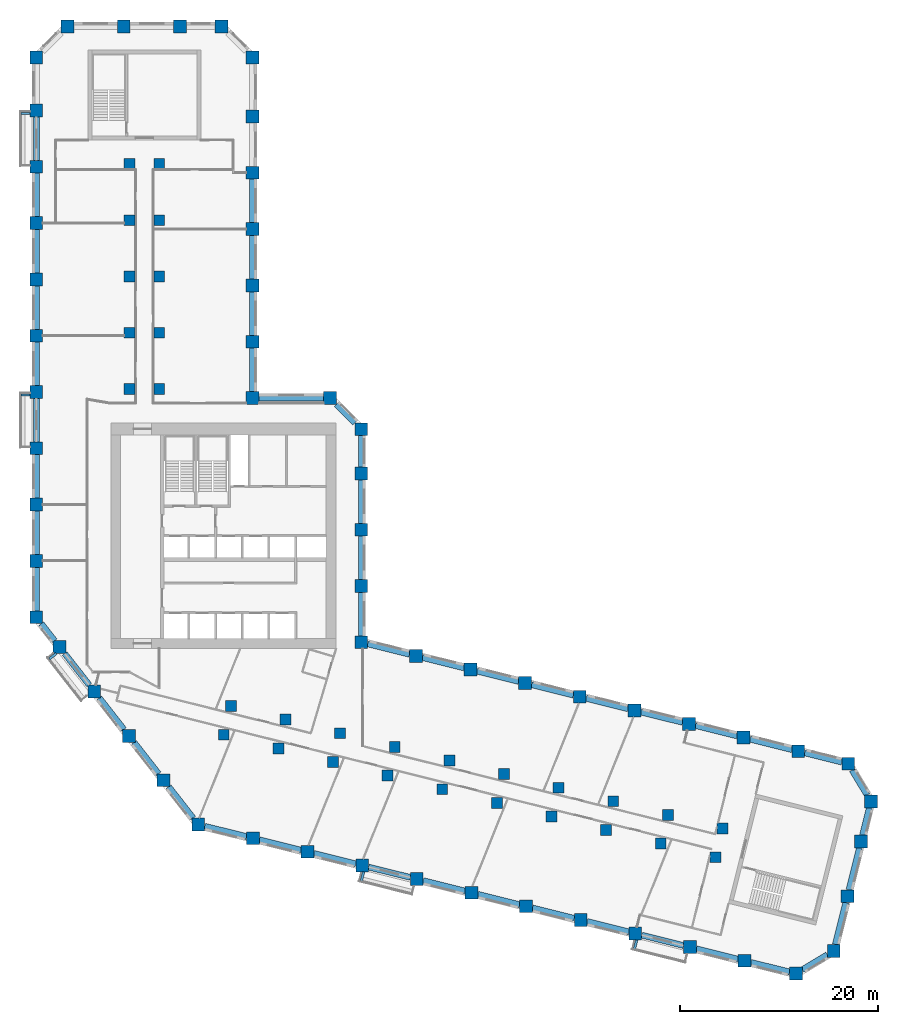
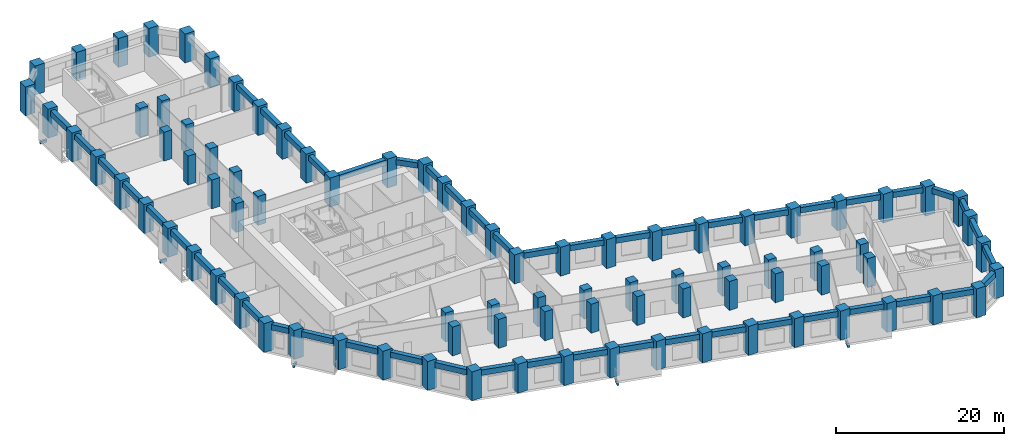
# One storey, part 1 of 10: 87 columns, 54 beams.
"""IFC4 building model written with IfcOpenShell, lengths in metres."""

import ifcopenshell
import ifcopenshell.guid

model = None  # the IFC model being written
_history = None  # IfcOwnerHistory: only IFC2X3 demands one
_inside = {}  # id of a spatial element -> (the spatial element, [elements in it])
_under = {}  # id of a project, library or spatial element -> (it, [spatial elements below it])
_declared = {}  # id of a project -> (the project, [libraries it declares])
_typed = {}  # id of a type object -> (the type object, [elements of that type])
_made_of = {}  # id of a material, layer set ... -> (it, [elements and type objects made of it])


def new_model(schema):
    """Start an empty IFC model of exactly this schema.

    Asked for "IFC4X3", IfcOpenShell would pick the latest addendum, in which some entities
    have other attributes; the version numbers below select the first issue.
    IFC2X3 requires an IfcOwnerHistory on every rooted entity: one is made here for all.
    """
    global model, _history
    if schema == "IFC4X3":
        model = ifcopenshell.file(schema_version=(4, 3, 0, 0))
    else:
        model = ifcopenshell.file(schema=schema)
    _inside.clear()
    _under.clear()
    _declared.clear()
    _typed.clear()
    _made_of.clear()
    _history = None
    if model.schema == "IFC2X3":
        org = make("IfcOrganization", Name="unknown")
        user = make(
            "IfcPersonAndOrganization",
            ThePerson=make("IfcPerson", FamilyName="unknown"),
            TheOrganization=org,
        )
        app = make(
            "IfcApplication",
            ApplicationDeveloper=org,
            Version="unknown",
            ApplicationFullName="unknown",
            ApplicationIdentifier="unknown",
        )
        _history = make(
            "IfcOwnerHistory",
            OwningUser=user,
            OwningApplication=app,
            ChangeAction="ADDED",
            CreationDate=0,
        )
    return model


def make(cls, **values):
    """One entity of the class cls with the attributes given. An attribute that is None is left unset."""
    return model.create_entity(
        cls, **{name: value for name, value in values.items() if value is not None}
    )


def rooted(cls, **values):
    """An entity with a GlobalId (a new one), such as an element, a storey or a relation."""
    return make(cls, GlobalId=ifcopenshell.guid.new(), OwnerHistory=_history, **values)


def si_unit(unit_type, name, prefix=None):
    """IfcSIUnit, for example si_unit("LENGTHUNIT", "METRE", prefix="MILLI")."""
    return make("IfcSIUnit", UnitType=unit_type, Prefix=prefix, Name=name)


def assignment(units):
    """IfcUnitAssignment: the units of a project."""
    return None if units is None else make("IfcUnitAssignment", Units=units)


def point(xyz):
    """IfcCartesianPoint."""
    return None if xyz is None else make("IfcCartesianPoint", Coordinates=xyz)


def direction(xyz):
    """IfcDirection."""
    return None if xyz is None else make("IfcDirection", DirectionRatios=xyz)


def frame(location, z_axis=None, x_axis=None):
    """IfcAxis2Placement3D, a coordinate frame: its origin and axes. An axis left out is left unset."""
    return make(
        "IfcAxis2Placement3D",
        Location=point(location),
        Axis=direction(z_axis),
        RefDirection=direction(x_axis),
    )


def frame_2d(location, x_axis=None):
    """IfcAxis2Placement2D, a coordinate frame in the plane: its origin and x axis."""
    return make(
        "IfcAxis2Placement2D", Location=point(location), RefDirection=direction(x_axis)
    )


def origin():
    """The frame at (0, 0, 0) with its axes left unset."""
    return frame((0.0, 0.0, 0.0))


def origin_2d():
    """The frame at (0, 0) in the plane with its x axis left unset."""
    return frame_2d((0.0, 0.0))


def place(relative_to, where):
    """IfcLocalPlacement: puts the frame where relative to a parent placement (None: the world)."""
    return make(
        "IfcLocalPlacement", PlacementRelTo=relative_to, RelativePlacement=where
    )


def context(
    kind, dimensions, precision=None, world=None, true_north=None, identifier=None
):
    """IfcGeometricRepresentationContext, for example the 3D "Model" context."""
    return make(
        "IfcGeometricRepresentationContext",
        ContextIdentifier=identifier,
        ContextType=kind,
        CoordinateSpaceDimension=dimensions,
        Precision=precision,
        WorldCoordinateSystem=world,
        TrueNorth=true_north,
    )


def subcontext(parent, identifier, kind, view, scale=None):
    """IfcGeometricRepresentationSubContext, for example "Body" below "Model"."""
    return make(
        "IfcGeometricRepresentationSubContext",
        ContextIdentifier=identifier,
        ContextType=kind,
        ParentContext=parent,
        TargetScale=scale,
        TargetView=view,
    )


def project(units=None, contexts=None):
    """IfcProject with its units and contexts."""
    return rooted(
        "IfcProject",
        Name="project",
        RepresentationContexts=contexts,
        UnitsInContext=assignment(units),
    )


def spatial(cls, under=None, at=None, **own):
    """A site, building, storey or space (cls), placed at a placement, below another one or the project."""
    s = rooted(cls, ObjectPlacement=at, **own)
    if under is not None:
        _under.setdefault(under.id(), (under, []))[1].append(s)
    return s


def profile(cls, at=None, kind="AREA", **sizes):
    """A parametric profile (cls). Its sizes go by their IFC names, for example OverallWidth=200.0."""
    return make(cls, ProfileType=kind, Position=at, **sizes)


def rectangle(**sizes):
    """IfcRectangleProfileDef."""
    return profile("IfcRectangleProfileDef", **sizes)


def extrude(swept, where, along, depth):
    """IfcExtrudedAreaSolid: the profile swept, set in the frame where, extruded along a direction by depth."""
    return make(
        "IfcExtrudedAreaSolid",
        SweptArea=swept,
        Position=where,
        ExtrudedDirection=direction(along),
        Depth=depth,
    )


def shape(context_of_items, identifier, shape_type, items):
    """IfcShapeRepresentation: the items that make up one representation, for example the "Body"."""
    return make(
        "IfcShapeRepresentation",
        ContextOfItems=context_of_items,
        RepresentationIdentifier=identifier,
        RepresentationType=shape_type,
        Items=items,
    )


def material(Name=None, Category=None):
    """IfcMaterial."""
    return make("IfcMaterial", Name=Name, Category=Category)


def material_profile(
    of_material, cross_section, Name=None, Category=None, Priority=None
):
    """IfcMaterialProfile: a cross section and its material."""
    return make(
        "IfcMaterialProfile",
        Name=Name,
        Material=of_material,
        Profile=cross_section,
        Priority=Priority,
        Category=Category,
    )


def profile_set(profiles, Name=None, composite=None):
    """IfcMaterialProfileSet."""
    return make(
        "IfcMaterialProfileSet",
        Name=Name,
        MaterialProfiles=profiles,
        CompositeProfile=composite,
    )


def made_of(thing, what):
    """Note that an element or type object is made of a material, layer set ...; save() writes the relation."""
    if what is not None:
        _made_of.setdefault(what.id(), (what, []))[1].append(thing)
    return thing


def type_object(cls, material=None, **own):
    """A type object (cls), such as IfcWallType, which elements share."""
    return made_of(rooted(cls, **own), material)


def element(
    cls,
    number,
    at=None,
    inside=None,
    cuts=None,
    type_object=None,
    material=None,
    context=None,
    identifier="Body",
    shape_type=None,
    held_by="IfcProductDefinitionShape",
    body=None,
    shapes=None,
    **own,
):
    """One element of the class cls, such as IfcWall. Its Tag is "e" and its number.

    at: its placement. inside: the storey or other place that contains it. cuts: it is an
    opening in that element (IfcRelVoidsElement). A single representation is given by context,
    identifier, shape_type and body (its items); several are given by shapes. held_by: the class
    of the entity that holds the representations. save() writes the other relations.
    """
    e = rooted(cls, Tag="e%d" % number, ObjectPlacement=at, **own)
    if body is not None:
        shapes = [shape(context, identifier, shape_type, body)]
    if shapes is not None:
        e.Representation = make(held_by, Representations=shapes)
    if inside is not None:
        _inside.setdefault(inside.id(), (inside, []))[1].append(e)
    if cuts is not None:
        rooted(
            "IfcRelVoidsElement", RelatingBuildingElement=cuts, RelatedOpeningElement=e
        )
    if type_object is not None:
        _typed.setdefault(type_object.id(), (type_object, []))[1].append(e)
    return made_of(e, material)


def aggregate(whole, parts):
    """IfcRelAggregates: a whole, such as a stair, and the parts it consists of."""
    return rooted("IfcRelAggregates", RelatingObject=whole, RelatedObjects=parts)


def save(model, path):
    """Write the relations noted so far, then the file.

    IfcRelAggregates (storeys below a building ...), IfcRelContainedInSpatialStructure (elements
    in a storey), IfcRelDefinesByType, IfcRelAssociatesMaterial and IfcRelDeclares: one each for
    every whole, place, type object, material and project.
    """
    for whole, parts in _under.values():
        aggregate(whole, parts)
    for where, things in _inside.values():
        rooted(
            "IfcRelContainedInSpatialStructure",
            RelatedElements=things,
            RelatingStructure=where,
        )
    for kind, things in _typed.values():
        rooted("IfcRelDefinesByType", RelatedObjects=things, RelatingType=kind)
    for what, things in _made_of.values():
        rooted("IfcRelAssociatesMaterial", RelatedObjects=things, RelatingMaterial=what)
    for by, libraries in _declared.values():
        rooted("IfcRelDeclares", RelatingContext=by, RelatedDefinitions=libraries)
    model.write(path)


model = new_model("IFC4")

# Units and contexts
model_context = context("Model", 3, precision=1e-05, world=origin(), true_north=direction((0.0, 1.0)))
body_context = subcontext(model_context, "Body", "Model", "MODEL_VIEW")
ifc_project = project(units=[si_unit("LENGTHUNIT", "METRE"), si_unit("AREAUNIT", "SQUARE_METRE"), si_unit("VOLUMEUNIT", "CUBIC_METRE"), si_unit("PLANEANGLEUNIT", "RADIAN"), si_unit("MASSUNIT", "GRAM", prefix="KILO")], contexts=[model_context])

# Site, building, storey
site_placement = place(None, origin())
site = spatial("IfcSite", under=ifc_project, at=site_placement, CompositionType="ELEMENT")
building_placement = place(site_placement, origin())
building = spatial("IfcBuilding", under=site, at=building_placement, Name="Meshkara Civic Tower", CompositionType="ELEMENT")
storey_placement = place(building_placement, frame((0.0, 0.0, 122.39990234375)))
storey = spatial("IfcBuildingStorey", under=building, at=storey_placement, Name="L27", CompositionType="ELEMENT", Elevation=122.39990234375)

# Columns
ifc_material_1 = material(Name="Concrete C70", Category="concrete")
ifc_material_profile_1 = material_profile(ifc_material_1, rectangle(XDim=1.10009765625, YDim=1.10009765625, at=origin_2d()))
ifc_profile_set_1 = profile_set([ifc_material_profile_1], Name="Concrete C70")
column_type_1 = type_object("IfcColumnType", Name="Interior column RC 1100x1100 C70", PredefinedType="COLUMN", material=ifc_profile_set_1)
for number, where, z_axis, x_axis, name in (
    (1, (9.89990234375, 40.35009765625, 0.0), (0.0, 0.0, 1.0), (1.0, 0.0, 0.0), "Column SA1-04 L27"),
    (2, (9.89990234375, 46.050048828125, 0.0), (0.0, 0.0, 1.0), (1.0, 0.0, 0.0), "Column SA1-05 L27"),
    (3, (9.89990234375, 51.75, 0.0), (0.0, 0.0, 1.0), (1.0, 0.0, 0.0), "Column SA1-06 L27"),
    (4, (9.89990234375, 57.449951171875, 0.0), (0.0, 0.0, 1.0), (1.0, 0.0, 0.0), "Column SA1-07 L27"),
    (5, (9.89990234375, 63.14990234375, 0.0), (0.0, 0.0, 1.0), (1.0, 0.0, 0.0), "Column SA1-08 L27"),
    (6, (12.89990234375, 40.35009765625, 0.0), (0.0, 0.0, 1.0), (1.0, 0.0, 0.0), "Column SA2-04 L27"),
    (7, (12.89990234375, 46.050048828125, 0.0), (0.0, 0.0, 1.0), (1.0, 0.0, 0.0), "Column SA2-05 L27"),
    (8, (12.89990234375, 51.75, 0.0), (0.0, 0.0, 1.0), (1.0, 0.0, 0.0), "Column SA2-06 L27"),
    (9, (12.89990234375, 57.449951171875, 0.0), (0.0, 0.0, 1.0), (1.0, 0.0, 0.0), "Column SA2-07 L27"),
    (10, (12.89990234375, 63.14990234375, 0.0), (0.0, 0.0, 1.0), (1.0, 0.0, 0.0), "Column SA2-08 L27"),
    (11, (19.424072265625, 5.360107421875, 0.0), (0.0, 0.0, 1.0), (1.0, 0.0, 0.0), "Column SB1-00 L27"),
    (12, (24.9541015625, 3.98095703125, 0.0), (0.0, 0.0, 1.0), (1.0, 0.0, 0.0), "Column SB1-01 L27"),
    (13, (30.485107421875, 2.60205078125, 0.0), (0.0, 0.0, 1.0), (1.0, 0.0, 0.0), "Column SB1-02 L27"),
    (14, (36.01611328125, 1.222900390625, 0.0), (0.0, 0.0, 1.0), (1.0, 0.0, 0.0), "Column SB1-03 L27"),
    (15, (41.5458984375, -0.156005859375, 0.0), (0.0, 0.0, 1.0), (1.0, 0.0, 0.0), "Column SB1-04 L27"),
    (16, (47.076904296875, -1.534912109375, 0.0), (0.0, 0.0, 1.0), (1.0, 0.0, 0.0), "Column SB1-05 L27"),
    (17, (52.60791015625, -2.9140625, 0.0), (0.0, 0.0, 1.0), (1.0, 0.0, 0.0), "Column SB1-06 L27"),
    (18, (58.138916015625, -4.2919921875, 0.0), (0.0, 0.0, 1.0), (1.0, 0.0, 0.0), "Column SB1-07 L27"),
    (19, (63.6689453125, -5.6708984375, 0.0), (0.0, 0.0, 1.0), (1.0, 0.0, 0.0), "Column SB1-08 L27"),
    (20, (69.199951171875, -7.050048828125, 0.0), (0.0, 0.0, 1.0), (1.0, 0.0, 0.0), "Column SB1-09 L27"),
    (21, (20.14892578125, 8.27099609375, 0.0), (0.0, 0.0, 1.0), (1.0, 0.0, 0.0), "Column SB2-00 L27"),
    (22, (25.679931640625, 6.89208984375, 0.0), (0.0, 0.0, 1.0), (1.0, 0.0, 0.0), "Column SB2-01 L27"),
    (23, (31.2109375, 5.512939453125, 0.0), (0.0, 0.0, 1.0), (1.0, 0.0, 0.0), "Column SB2-02 L27"),
    (24, (36.741943359375, 4.134033203125, 0.0), (0.0, 0.0, 1.0), (1.0, 0.0, 0.0), "Column SB2-03 L27"),
    (25, (42.27197265625, 2.7548828125, 0.0), (0.0, 0.0, 1.0), (1.0, 0.0, 0.0), "Column SB2-04 L27"),
    (26, (47.802978515625, 1.3759765625, 0.0), (0.0, 0.0, 1.0), (1.0, 0.0, 0.0), "Column SB2-05 L27"),
    (27, (53.333984375, -0.0029296875, 0.0), (0.0, 0.0, 1.0), (1.0, 0.0, 0.0), "Column SB2-06 L27"),
    (28, (58.864013671875, -1.382080078125, 0.0), (0.0, 0.0, 1.0), (1.0, 0.0, 0.0), "Column SB2-07 L27"),
    (29, (64.39501953125, -2.760986328125, 0.0), (0.0, 0.0, 1.0), (1.0, 0.0, 0.0), "Column SB2-08 L27"),
    (30, (69.926025390625, -4.139892578125, 0.0), (0.0, 0.0, 1.0), (1.0, 0.0, 0.0), "Column SB2-09 L27"),
):
    element("IfcColumn", number, at=place(storey_placement, frame(where, z_axis=z_axis, x_axis=x_axis)), inside=storey, type_object=column_type_1, Name=name, PredefinedType="COLUMN", context=body_context, shape_type="SweptSolid", body=[
        extrude(rectangle(XDim=1.10009765625, YDim=1.10009765625, at=origin_2d()), origin(), (0.0, 0.0, 1.0), 4.2001953125),
    ])
ifc_material_2 = material(Name="Concrete C70", Category="concrete")
ifc_material_profile_2 = material_profile(ifc_material_2, rectangle(XDim=1.300048828125, YDim=1.300048828125, at=origin_2d()))
ifc_profile_set_2 = profile_set([ifc_material_profile_2], Name="Concrete C70")
column_type_2 = type_object("IfcColumnType", Name="Perimeter column RC 1300x1300 C70", PredefinedType="COLUMN", material=ifc_profile_set_2)
for number, where, z_axis, x_axis, name in (
    (31, (33.35009765625, 14.718994140625, 0.0), (0.0, 0.0, 1.0), (1.0, 0.0, 0.0), "Column HE00 L27"),
    (32, (33.35009765625, 20.4189453125, 0.0), (0.0, 0.0, 1.0), (1.0, 0.0, 0.0), "Column HE01 L27"),
    (33, (33.35009765625, 26.118896484375, 0.0), (0.0, 0.0, 1.0), (1.0, 0.0, 0.0), "Column HE02 L27"),
    (34, (33.35009765625, 31.819091796875, 0.0), (0.0, 0.0, 1.0), (1.0, 0.0, 0.0), "Column HE03 L27"),
    (35, (33.35009765625, 36.2939453125, 0.0), (0.0, 0.0, 1.0), (1.0, 0.0, 0.0), "Column HEE L27"),
    (36, (30.194091796875, 39.449951171875, 0.0), (0.0, 0.0, 1.0), (1.0, 0.0, 0.0), "Column HCeE L27"),
    (37, (22.35009765625, 39.449951171875, 0.0), (0.0, 0.0, 1.0), (1.0, 0.0, 0.0), "Column HN00 L27"),
    (38, (22.35009765625, 45.14990234375, 0.0), (0.0, 0.0, 1.0), (1.0, 0.0, 0.0), "Column AE01 L27"),
    (39, (22.35009765625, 50.85009765625, 0.0), (0.0, 0.0, 1.0), (1.0, 0.0, 0.0), "Column AE02 L27"),
    (40, (22.35009765625, 56.550048828125, 0.0), (0.0, 0.0, 1.0), (1.0, 0.0, 0.0), "Column AE03 L27"),
    (41, (22.35009765625, 62.25, 0.0), (0.0, 0.0, 1.0), (1.0, 0.0, 0.0), "Column AE04 L27"),
    (42, (22.35009765625, 67.949951171875, 0.0), (0.0, 0.0, 1.0), (1.0, 0.0, 0.0), "Column AE05 L27"),
    (43, (22.35009765625, 73.9140625, 0.0), (0.0, 0.0, 1.0), (1.0, 0.0, 0.0), "Column AEEP1 L27"),
    (44, (19.194091796875, 77.070068359375, 0.0), (0.0, 0.0, 1.0), (1.0, 0.0, 0.0), "Column ATiEP1 L27"),
    (45, (3.60595703125, 77.070068359375, 0.0), (0.0, 0.0, 1.0), (1.0, 0.0, 0.0), "Column AT00-P1 L27"),
    (46, (9.305908203125, 77.070068359375, 0.0), (0.0, 0.0, 1.0), (1.0, 0.0, 0.0), "Column AT01-P1 L27"),
    (47, (15.006103515625, 77.070068359375, 0.0), (0.0, 0.0, 1.0), (1.0, 0.0, 0.0), "Column AT02-P1 L27"),
    (48, (0.449951171875, 73.9140625, 0.0), (0.0, 0.0, 1.0), (1.0, 0.0, 0.0), "Column ATo00-P1 L27"),
    (49, (0.449951171875, 17.2548828125, 0.0), (0.0, 0.0, 1.0), (1.0, 0.0, 0.0), "Column AW00 L27"),
    (50, (0.449951171875, 22.955078125, 0.0), (0.0, 0.0, 1.0), (1.0, 0.0, 0.0), "Column AW01 L27"),
    (51, (0.449951171875, 28.655029296875, 0.0), (0.0, 0.0, 1.0), (1.0, 0.0, 0.0), "Column AW02 L27"),
    (52, (0.449951171875, 34.35498046875, 0.0), (0.0, 0.0, 1.0), (1.0, 0.0, 0.0), "Column AW03 L27"),
    (53, (0.449951171875, 40.054931640625, 0.0), (0.0, 0.0, 1.0), (1.0, 0.0, 0.0), "Column AW04 L27"),
    (54, (0.449951171875, 45.7548828125, 0.0), (0.0, 0.0, 1.0), (1.0, 0.0, 0.0), "Column AW05 L27"),
    (55, (0.449951171875, 51.455078125, 0.0), (0.0, 0.0, 1.0), (1.0, 0.0, 0.0), "Column AW06 L27"),
    (56, (0.449951171875, 57.155029296875, 0.0), (0.0, 0.0, 1.0), (1.0, 0.0, 0.0), "Column AW07 L27"),
    (57, (0.449951171875, 62.85498046875, 0.0), (0.0, 0.0, 1.0), (1.0, 0.0, 0.0), "Column AW08 L27"),
    (58, (0.449951171875, 68.554931640625, 0.0), (0.0, 0.0, 1.0), (1.0, 0.0, 0.0), "Column AW09 L27"),
    (59, (16.85107421875, -3.738037109375, 0.0), (0.0, 0.0, 1.0), (1.0, 0.0, 0.0), "Column BOW00 L27"),
    (60, (13.342041015625, 0.75390625, 0.0), (0.0, 0.0, 1.0), (1.0, 0.0, 0.0), "Column BOW01 L27"),
    (61, (9.8330078125, 5.2451171875, 0.0), (0.0, 0.0, 1.0), (1.0, 0.0, 0.0), "Column BOW02 L27"),
    (62, (6.322998046875, 9.737060546875, 0.0), (0.0, 0.0, 1.0), (1.0, 0.0, 0.0), "Column BOW03 L27"),
    (63, (2.81396484375, 14.22900390625, 0.0), (0.0, 0.0, 1.0), (1.0, 0.0, 0.0), "Column BOW04 L27"),
    (64, (22.382080078125, -5.116943359375, 0.0), (0.0, 0.0, 1.0), (1.0, 0.0, 0.0), "Column BS01 L27"),
    (65, (27.912109375, -6.49609375, 0.0), (0.0, 0.0, 1.0), (1.0, 0.0, 0.0), "Column BS02 L27"),
    (66, (33.443115234375, -7.875, 0.0), (0.0, 0.0, 1.0), (1.0, 0.0, 0.0), "Column BS03 L27"),
    (67, (38.97412109375, -9.2529296875, 0.0), (0.0, 0.0, 1.0), (1.0, 0.0, 0.0), "Column BS04-P1 L27"),
    (68, (44.5048828125, -10.632080078125, 0.0), (0.0, 0.0, 1.0), (1.0, 0.0, 0.0), "Column BS05 L27"),
    (69, (50.034912109375, -12.010986328125, 0.0), (0.0, 0.0, 1.0), (1.0, 0.0, 0.0), "Column BS06 L27"),
    (70, (55.56591796875, -13.389892578125, 0.0), (0.0, 0.0, 1.0), (1.0, 0.0, 0.0), "Column BS07 L27"),
    (71, (61.096923828125, -14.76904296875, 0.0), (0.0, 0.0, 1.0), (1.0, 0.0, 0.0), "Column BS08 L27"),
    (72, (66.626953125, -16.14794921875, 0.0), (0.0, 0.0, 1.0), (1.0, 0.0, 0.0), "Column BS09 L27"),
    (73, (72.157958984375, -17.527099609375, 0.0), (0.0, 0.0, 1.0), (1.0, 0.0, 0.0), "Column BS10 L27"),
    (74, (77.35791015625, -18.822998046875, 0.0), (0.0, 0.0, 1.0), (1.0, 0.0, 0.0), "Column BSEP1 L27"),
    (75, (81.18310546875, -16.52392578125, 0.0), (0.0, 0.0, 1.0), (1.0, 0.0, 0.0), "Column BToEP1 L27"),
    (76, (82.56201171875, -10.992919921875, 0.0), (0.0, 0.0, 1.0), (1.0, 0.0, 0.0), "Column BT01-P1 L27"),
    (77, (83.94091796875, -5.462890625, 0.0), (0.0, 0.0, 1.0), (1.0, 0.0, 0.0), "Column BT02-P1 L27"),
    (78, (84.9541015625, -1.39990234375, 0.0), (0.0, 0.0, 1.0), (1.0, 0.0, 0.0), "Column BTEP1 L27"),
    (79, (82.655029296875, 2.425048828125, 0.0), (0.0, 0.0, 1.0), (1.0, 0.0, 0.0), "Column BTi00-P1 L27"),
    (80, (38.881103515625, 13.340087890625, 0.0), (0.0, 0.0, 1.0), (1.0, 0.0, 0.0), "Column BN01 L27"),
    (81, (44.410888671875, 11.9609375, 0.0), (0.0, 0.0, 1.0), (1.0, 0.0, 0.0), "Column BN02 L27"),
    (82, (49.94189453125, 10.58203125, 0.0), (0.0, 0.0, 1.0), (1.0, 0.0, 0.0), "Column BN03 L27"),
    (83, (55.472900390625, 9.202880859375, 0.0), (0.0, 0.0, 1.0), (1.0, 0.0, 0.0), "Column BN04 L27"),
    (84, (61.0029296875, 7.823974609375, 0.0), (0.0, 0.0, 1.0), (1.0, 0.0, 0.0), "Column BN05 L27"),
    (85, (66.533935546875, 6.445068359375, 0.0), (0.0, 0.0, 1.0), (1.0, 0.0, 0.0), "Column BN06 L27"),
    (86, (72.06494140625, 5.06591796875, 0.0), (0.0, 0.0, 1.0), (1.0, 0.0, 0.0), "Column BN07 L27"),
    (87, (77.594970703125, 3.68701171875, 0.0), (0.0, 0.0, 1.0), (1.0, 0.0, 0.0), "Column BN08 L27"),
):
    element("IfcColumn", number, at=place(storey_placement, frame(where, z_axis=z_axis, x_axis=x_axis)), inside=storey, type_object=column_type_2, Name=name, PredefinedType="COLUMN", context=body_context, shape_type="SweptSolid", body=[
        extrude(rectangle(XDim=1.300048828125, YDim=1.300048828125, at=origin_2d()), origin(), (0.0, 0.0, 1.0), 4.2001953125),
    ])

# Beams
ifc_material_3 = material(Name="Concrete C50", Category="concrete")
ifc_material_profile_3 = material_profile(ifc_material_3, rectangle(XDim=0.25, YDim=0.39990234375, at=origin_2d()))
ifc_profile_set_3 = profile_set([ifc_material_profile_3], Name="Concrete C50")
beam_type_1 = type_object("IfcBeamType", Name="Balcony bracket beam RC 250x400 C50", PredefinedType="BEAM", material=ifc_profile_set_3)
for number, where, z_axis, x_axis, name in (
    (88, (-0.195068359375, 68.2548828125, -0.5), (-1.0, 0.0, 0.0), (0.0, -1.0, 0.0), "Balcony bracket beam"),
    (89, (-0.195068359375, 39.7548828125, -0.5), (-1.0, 0.0, 0.0), (0.0, -1.0, 0.0), "Balcony bracket beam"),
):
    element("IfcBeam", number, at=place(storey_placement, frame(where, z_axis=z_axis, x_axis=x_axis)), inside=storey, type_object=beam_type_1, Name=name, PredefinedType="BEAM", context=body_context, shape_type="SweptSolid", body=[
        extrude(rectangle(XDim=0.25, YDim=0.39990234375, at=origin_2d()), origin(), (0.0, 0.0, 1.0), 0.905029296875),
    ])
beam_1_placement = place(storey_placement, frame((2.472900390625, 13.58203125, -0.5), z_axis=(-0.787831553438, -0.615890772302, 0.0), x_axis=(0.615890772302, -0.787831553438, 0.0)))
element("IfcBeam", 90, at=beam_1_placement, inside=storey, type_object=beam_type_1, Name="Balcony bracket beam", PredefinedType="BEAM", context=body_context, shape_type="SweptSolid", body=[
    extrude(rectangle(XDim=0.25, YDim=0.39990234375, at=origin_2d()), origin(), (0.0, 0.0, 1.0), 0.88330078125),
])
beam_2_placement = place(storey_placement, frame((33.591064453125, -8.52001953125, -0.5), z_axis=(-0.24199671944, -0.970277067533, 0.0), x_axis=(0.970277067533, -0.24199671944, 0.0)))
element("IfcBeam", 91, at=beam_2_placement, inside=storey, type_object=beam_type_1, Name="Balcony bracket beam", PredefinedType="BEAM", context=body_context, shape_type="SweptSolid", body=[
    extrude(rectangle(XDim=0.25, YDim=0.39990234375, at=origin_2d()), origin(), (0.0, 0.0, 1.0), 0.95947265625),
])
beam_3_placement = place(storey_placement, frame((61.2451171875, -15.4140625, -0.5), z_axis=(-0.241757949961, -0.970336587804, 0.0), x_axis=(0.970336587804, -0.241757949961, 0.0)))
element("IfcBeam", 92, at=beam_3_placement, inside=storey, type_object=beam_type_1, Name="Balcony bracket beam", PredefinedType="BEAM", context=body_context, shape_type="SweptSolid", body=[
    extrude(rectangle(XDim=0.25, YDim=0.39990234375, at=origin_2d()), origin(), (0.0, 0.0, 1.0), 0.96044921875),
])
ifc_material_4 = material(Name="Concrete C70", Category="concrete")
ifc_material_profile_4 = material_profile(ifc_material_4, rectangle(XDim=0.60009765625, YDim=0.800048828125, at=origin_2d()))
ifc_profile_set_4 = profile_set([ifc_material_profile_4], Name="Concrete C70")
beam_type_2 = type_object("IfcBeamType", Name="Spandrel beam RC 600x800 C70", PredefinedType="BEAM", material=ifc_profile_set_4)
beam_4_placement = place(storey_placement, frame((76.949951171875, 3.847900390625, 3.5), z_axis=(-0.970293497888, 0.241930832999, 0.0), x_axis=(-0.241930832999, -0.970293497888, 0.0)))
element("IfcBeam", 93, at=beam_4_placement, inside=storey, type_object=beam_type_2, Name="Spandrel beam BN07-BN08", PredefinedType="BEAM", context=body_context, shape_type="SweptSolid", body=[
    extrude(rectangle(XDim=0.60009765625, YDim=0.800048828125, at=origin_2d()), origin(), (0.0, 0.0, 1.0), 4.36962890625),
])
for number, where, z_axis, x_axis, name in (
    (94, (71.419921875, 5.226806640625, 3.5), (-0.970293463154, 0.241930972304, 0.0), (-0.241930972304, -0.970293463154, 0.0), "Spandrel beam BN06-BN07"),
    (95, (65.888916015625, 6.605712890625, 3.5), (-0.970293463154, 0.241930972304, 0.0), (-0.241930972304, -0.970293463154, 0.0), "Spandrel beam BN05-BN06"),
):
    element("IfcBeam", number, at=place(storey_placement, frame(where, z_axis=z_axis, x_axis=x_axis)), inside=storey, type_object=beam_type_2, Name=name, PredefinedType="BEAM", context=body_context, shape_type="SweptSolid", body=[
        extrude(rectangle(XDim=0.60009765625, YDim=0.800048828125, at=origin_2d()), origin(), (0.0, 0.0, 1.0), 4.37060546875),
    ])
beam_5_placement = place(storey_placement, frame((60.35791015625, 7.98486328125, 3.5), z_axis=(-0.970293497888, 0.241930832999, 0.0), x_axis=(-0.241930832999, -0.970293497888, 0.0)))
element("IfcBeam", 96, at=beam_5_placement, inside=storey, type_object=beam_type_2, Name="Spandrel beam BN04-BN05", PredefinedType="BEAM", context=body_context, shape_type="SweptSolid", body=[
    extrude(rectangle(XDim=0.60009765625, YDim=0.800048828125, at=origin_2d()), origin(), (0.0, 0.0, 1.0), 4.36962890625),
])
for number, where, z_axis, x_axis, name in (
    (97, (54.827880859375, 9.36376953125, 3.5), (-0.970293463154, 0.241930972304, 0.0), (-0.241930972304, -0.970293463154, 0.0), "Spandrel beam BN03-BN04"),
    (98, (49.296875, 10.742919921875, 3.5), (-0.970293463154, 0.241930972304, 0.0), (-0.241930972304, -0.970293463154, 0.0), "Spandrel beam BN02-BN03"),
):
    element("IfcBeam", number, at=place(storey_placement, frame(where, z_axis=z_axis, x_axis=x_axis)), inside=storey, type_object=beam_type_2, Name=name, PredefinedType="BEAM", context=body_context, shape_type="SweptSolid", body=[
        extrude(rectangle(XDim=0.60009765625, YDim=0.800048828125, at=origin_2d()), origin(), (0.0, 0.0, 1.0), 4.37060546875),
    ])
beam_6_placement = place(storey_placement, frame((43.765869140625, 12.121826171875, 3.5), z_axis=(-0.970280380753, 0.241983434817, 0.0), x_axis=(-0.241983434817, -0.970280380753, 0.0)))
element("IfcBeam", 99, at=beam_6_placement, inside=storey, type_object=beam_type_2, Name="Spandrel beam BN01-BN02", PredefinedType="BEAM", context=body_context, shape_type="SweptSolid", body=[
    extrude(rectangle(XDim=0.60009765625, YDim=0.800048828125, at=origin_2d()), origin(), (0.0, 0.0, 1.0), 4.36962890625),
])
beam_7_placement = place(storey_placement, frame((38.23583984375, 13.500732421875, 3.5), z_axis=(-0.970293463154, 0.241930972304, 0.0), x_axis=(-0.241930972304, -0.970293463154, 0.0)))
element("IfcBeam", 100, at=beam_7_placement, inside=storey, type_object=beam_type_2, Name="Spandrel beam BN01-HE00", PredefinedType="BEAM", context=body_context, shape_type="SweptSolid", body=[
    extrude(rectangle(XDim=0.60009765625, YDim=0.800048828125, at=origin_2d()), origin(), (0.0, 0.0, 1.0), 4.37060546875),
])
beam_8_placement = place(storey_placement, frame((33.35009765625, 15.364013671875, 3.5), z_axis=(0.0, 1.0, 0.0), x_axis=(-1.0, 0.0, 0.0)))
element("IfcBeam", 101, at=beam_8_placement, inside=storey, type_object=beam_type_2, Name="Spandrel beam HE00-HE01", PredefinedType="BEAM", context=body_context, shape_type="SweptSolid", body=[
    extrude(rectangle(XDim=0.60009765625, YDim=0.800048828125, at=origin_2d()), origin(), (0.0, 0.0, 1.0), 4.409912109375),
])
for number, where, z_axis, x_axis, name in (
    (102, (33.35009765625, 21.06396484375, 3.5), (0.0, 1.0, 0.0), (-1.0, 0.0, 0.0), "Spandrel beam HE01-HE02"),
    (103, (33.35009765625, 26.763916015625, 3.5), (0.0, 1.0, 0.0), (-1.0, 0.0, 0.0), "Spandrel beam HE02-HE03"),
):
    element("IfcBeam", number, at=place(storey_placement, frame(where, z_axis=z_axis, x_axis=x_axis)), inside=storey, type_object=beam_type_2, Name=name, PredefinedType="BEAM", context=body_context, shape_type="SweptSolid", body=[
        extrude(rectangle(XDim=0.60009765625, YDim=0.800048828125, at=origin_2d()), origin(), (0.0, 0.0, 1.0), 4.41015625),
    ])
beam_9_placement = place(storey_placement, frame((33.35009765625, 32.464111328125, 3.5), z_axis=(0.0, 1.0, 0.0), x_axis=(-1.0, 0.0, 0.0)))
element("IfcBeam", 104, at=beam_9_placement, inside=storey, type_object=beam_type_2, Name="Spandrel beam HE03-HEE", PredefinedType="BEAM", context=body_context, shape_type="SweptSolid", body=[
    extrude(rectangle(XDim=0.60009765625, YDim=0.800048828125, at=origin_2d()), origin(), (0.0, 0.0, 1.0), 3.184814453125),
])
beam_10_placement = place(storey_placement, frame((32.70361328125, 36.9404296875, 3.5), z_axis=(-0.707106781187, 0.707106781187, 0.0), x_axis=(-0.707106781187, -0.707106781187, 0.0)))
element("IfcBeam", 105, at=beam_10_placement, inside=storey, type_object=beam_type_2, Name="Spandrel beam HCeE-HEE", PredefinedType="BEAM", context=body_context, shape_type="SweptSolid", body=[
    extrude(rectangle(XDim=0.60009765625, YDim=0.800048828125, at=origin_2d()), origin(), (0.0, 0.0, 1.0), 2.634765625),
])
beam_11_placement = place(storey_placement, frame((29.549072265625, 39.449951171875, 3.5), z_axis=(-1.0, 0.0, 0.0), x_axis=(0.0, -1.0, 0.0)))
element("IfcBeam", 106, at=beam_11_placement, inside=storey, type_object=beam_type_2, Name="Spandrel beam HCeE-HN00", PredefinedType="BEAM", context=body_context, shape_type="SweptSolid", body=[
    extrude(rectangle(XDim=0.60009765625, YDim=0.800048828125, at=origin_2d()), origin(), (0.0, 0.0, 1.0), 6.553955078125),
])
beam_12_placement = place(storey_placement, frame((22.35009765625, 40.094970703125, 3.5), z_axis=(0.0, 1.0, 0.0), x_axis=(-1.0, 0.0, 0.0)))
element("IfcBeam", 107, at=beam_12_placement, inside=storey, type_object=beam_type_2, Name="Spandrel beam AE01-HN00", PredefinedType="BEAM", context=body_context, shape_type="SweptSolid", body=[
    extrude(rectangle(XDim=0.60009765625, YDim=0.800048828125, at=origin_2d()), origin(), (0.0, 0.0, 1.0), 4.409912109375),
])
beam_13_placement = place(storey_placement, frame((22.35009765625, 45.794921875, 3.5), z_axis=(0.0, 1.0, 0.0), x_axis=(-1.0, 0.0, 0.0)))
element("IfcBeam", 108, at=beam_13_placement, inside=storey, type_object=beam_type_2, Name="Spandrel beam AE01-AE02", PredefinedType="BEAM", context=body_context, shape_type="SweptSolid", body=[
    extrude(rectangle(XDim=0.60009765625, YDim=0.800048828125, at=origin_2d()), origin(), (0.0, 0.0, 1.0), 4.41015625),
])
for number, where, z_axis, x_axis, name in (
    (109, (22.35009765625, 51.4951171875, 3.5), (0.0, 1.0, 0.0), (-1.0, 0.0, 0.0), "Spandrel beam AE02-AE03"),
    (110, (22.35009765625, 57.195068359375, 3.5), (0.0, 1.0, 0.0), (-1.0, 0.0, 0.0), "Spandrel beam AE03-AE04"),
    (111, (0.449951171875, 67.909912109375, 3.5), (0.0, -1.0, 0.0), (1.0, 0.0, 0.0), "Spandrel beam AW08-AW09"),
    (112, (0.449951171875, 62.2099609375, 3.5), (0.0, -1.0, 0.0), (1.0, 0.0, 0.0), "Spandrel beam AW07-AW08"),
    (113, (0.449951171875, 56.510009765625, 3.5), (0.0, -1.0, 0.0), (1.0, 0.0, 0.0), "Spandrel beam AW06-AW07"),
):
    element("IfcBeam", number, at=place(storey_placement, frame(where, z_axis=z_axis, x_axis=x_axis)), inside=storey, type_object=beam_type_2, Name=name, PredefinedType="BEAM", context=body_context, shape_type="SweptSolid", body=[
        extrude(rectangle(XDim=0.60009765625, YDim=0.800048828125, at=origin_2d()), origin(), (0.0, 0.0, 1.0), 4.409912109375),
    ])
for number, where, z_axis, x_axis, name in (
    (114, (0.449951171875, 50.81005859375, 3.5), (0.0, -1.0, 0.0), (1.0, 0.0, 0.0), "Spandrel beam AW05-AW06"),
    (115, (0.449951171875, 45.110107421875, 3.5), (0.0, -1.0, 0.0), (1.0, 0.0, 0.0), "Spandrel beam AW04-AW05"),
):
    element("IfcBeam", number, at=place(storey_placement, frame(where, z_axis=z_axis, x_axis=x_axis)), inside=storey, type_object=beam_type_2, Name=name, PredefinedType="BEAM", context=body_context, shape_type="SweptSolid", body=[
        extrude(rectangle(XDim=0.60009765625, YDim=0.800048828125, at=origin_2d()), origin(), (0.0, 0.0, 1.0), 4.41015625),
    ])
for number, where, z_axis, x_axis, name in (
    (116, (0.449951171875, 39.409912109375, 3.5), (0.0, -1.0, 0.0), (1.0, 0.0, 0.0), "Spandrel beam AW03-AW04"),
    (117, (0.449951171875, 33.7099609375, 3.5), (0.0, -1.0, 0.0), (1.0, 0.0, 0.0), "Spandrel beam AW02-AW03"),
    (118, (0.449951171875, 28.010009765625, 3.5), (0.0, -1.0, 0.0), (1.0, 0.0, 0.0), "Spandrel beam AW01-AW02"),
):
    element("IfcBeam", number, at=place(storey_placement, frame(where, z_axis=z_axis, x_axis=x_axis)), inside=storey, type_object=beam_type_2, Name=name, PredefinedType="BEAM", context=body_context, shape_type="SweptSolid", body=[
        extrude(rectangle(XDim=0.60009765625, YDim=0.800048828125, at=origin_2d()), origin(), (0.0, 0.0, 1.0), 4.409912109375),
    ])
beam_14_placement = place(storey_placement, frame((0.449951171875, 22.31005859375, 3.5), z_axis=(0.0, -1.0, 0.0), x_axis=(1.0, 0.0, 0.0)))
element("IfcBeam", 119, at=beam_14_placement, inside=storey, type_object=beam_type_2, Name="Spandrel beam AW00-AW01", PredefinedType="BEAM", context=body_context, shape_type="SweptSolid", body=[
    extrude(rectangle(XDim=0.60009765625, YDim=0.800048828125, at=origin_2d()), origin(), (0.0, 0.0, 1.0), 4.41015625),
])
beam_15_placement = place(storey_placement, frame((0.95458984375, 16.60888671875, 3.5), z_axis=(0.61568279769, -0.787994094286, 0.0), x_axis=(0.787994094286, 0.61568279769, 0.0)))
element("IfcBeam", 120, at=beam_15_placement, inside=storey, type_object=beam_type_2, Name="Spandrel beam AW00-BOW04", PredefinedType="BEAM", context=body_context, shape_type="SweptSolid", body=[
    extrude(rectangle(XDim=0.60009765625, YDim=0.800048828125, at=origin_2d()), origin(), (0.0, 0.0, 1.0), 2.200439453125),
])
beam_16_placement = place(storey_placement, frame((3.318603515625, 13.5830078125, 3.5), z_axis=(0.615612539127, -0.788048984309, 0.0), x_axis=(0.788048984309, 0.615612539127, 0.0)))
element("IfcBeam", 121, at=beam_16_placement, inside=storey, type_object=beam_type_2, Name="Spandrel beam BOW03-BOW04", PredefinedType="BEAM", context=body_context, shape_type="SweptSolid", body=[
    extrude(rectangle(XDim=0.60009765625, YDim=0.800048828125, at=origin_2d()), origin(), (0.0, 0.0, 1.0), 4.060546875),
])
beam_17_placement = place(storey_placement, frame((6.827880859375, 9.0908203125, 3.5), z_axis=(0.615716376188, -0.787967857272, 0.0), x_axis=(0.787967857272, 0.615716376188, 0.0)))
element("IfcBeam", 122, at=beam_17_placement, inside=storey, type_object=beam_type_2, Name="Spandrel beam BOW02-BOW03", PredefinedType="BEAM", context=body_context, shape_type="SweptSolid", body=[
    extrude(rectangle(XDim=0.60009765625, YDim=0.800048828125, at=origin_2d()), origin(), (0.0, 0.0, 1.0), 4.060791015625),
])
beam_18_placement = place(storey_placement, frame((10.337890625, 4.598876953125, 3.5), z_axis=(0.61568372316, -0.787993371188, 0.0), x_axis=(0.787993371188, 0.61568372316, 0.0)))
element("IfcBeam", 123, at=beam_18_placement, inside=storey, type_object=beam_type_2, Name="Spandrel beam BOW01-BOW02", PredefinedType="BEAM", context=body_context, shape_type="SweptSolid", body=[
    extrude(rectangle(XDim=0.60009765625, YDim=0.800048828125, at=origin_2d()), origin(), (0.0, 0.0, 1.0), 4.059326171875),
])
beam_19_placement = place(storey_placement, frame((13.8466796875, 0.10791015625, 3.5), z_axis=(0.615604368214, -0.78805536724, 0.0), x_axis=(0.78805536724, 0.615604368214, 0.0)))
element("IfcBeam", 124, at=beam_19_placement, inside=storey, type_object=beam_type_2, Name="Spandrel beam BOW00-BOW01", PredefinedType="BEAM", context=body_context, shape_type="SweptSolid", body=[
    extrude(rectangle(XDim=0.60009765625, YDim=0.800048828125, at=origin_2d()), origin(), (0.0, 0.0, 1.0), 4.060302734375),
])
beam_20_placement = place(storey_placement, frame((17.49609375, -3.898681640625, 3.5), z_axis=(0.970280349033, -0.241983562004, 0.0), x_axis=(0.241983562004, 0.970280349033, 0.0)))
element("IfcBeam", 125, at=beam_20_placement, inside=storey, type_object=beam_type_2, Name="Spandrel beam BOW00-BS01", PredefinedType="BEAM", context=body_context, shape_type="SweptSolid", body=[
    extrude(rectangle(XDim=0.60009765625, YDim=0.800048828125, at=origin_2d()), origin(), (0.0, 0.0, 1.0), 4.37060546875),
])
beam_21_placement = place(storey_placement, frame((23.027099609375, -5.27783203125, 3.5), z_axis=(0.970280380753, -0.241983434817, 0.0), x_axis=(0.241983434817, 0.970280380753, 0.0)))
element("IfcBeam", 126, at=beam_21_placement, inside=storey, type_object=beam_type_2, Name="Spandrel beam BS01-BS02", PredefinedType="BEAM", context=body_context, shape_type="SweptSolid", body=[
    extrude(rectangle(XDim=0.60009765625, YDim=0.800048828125, at=origin_2d()), origin(), (0.0, 0.0, 1.0), 4.36962890625),
])
beam_22_placement = place(storey_placement, frame((28.55712890625, -6.65673828125, 3.5), z_axis=(0.970293463154, -0.241930972304, 0.0), x_axis=(0.241930972304, 0.970293463154, 0.0)))
element("IfcBeam", 127, at=beam_22_placement, inside=storey, type_object=beam_type_2, Name="Spandrel beam BS02-BS03", PredefinedType="BEAM", context=body_context, shape_type="SweptSolid", body=[
    extrude(rectangle(XDim=0.60009765625, YDim=0.800048828125, at=origin_2d()), origin(), (0.0, 0.0, 1.0), 4.37060546875),
])
beam_23_placement = place(storey_placement, frame((34.088134765625, -8.03564453125, 3.5), z_axis=(0.97033279054, -0.241773190412, 0.0), x_axis=(0.241773190412, 0.97033279054, 0.0)))
element("IfcBeam", 128, at=beam_23_placement, inside=storey, type_object=beam_type_2, Name="Spandrel beam BS03-BS04-P1", PredefinedType="BEAM", context=body_context, shape_type="SweptSolid", body=[
    extrude(rectangle(XDim=0.60009765625, YDim=0.800048828125, at=origin_2d()), origin(), (0.0, 0.0, 1.0), 4.370361328125),
])
beam_24_placement = place(storey_placement, frame((39.619140625, -9.413818359375, 3.5), z_axis=(0.970293463154, -0.241930972304, 0.0), x_axis=(0.241930972304, 0.970293463154, 0.0)))
element("IfcBeam", 129, at=beam_24_placement, inside=storey, type_object=beam_type_2, Name="Spandrel beam BS04-P1-BS05", PredefinedType="BEAM", context=body_context, shape_type="SweptSolid", body=[
    extrude(rectangle(XDim=0.60009765625, YDim=0.800048828125, at=origin_2d()), origin(), (0.0, 0.0, 1.0), 4.37060546875),
])
beam_25_placement = place(storey_placement, frame((45.150146484375, -10.79296875, 3.5), z_axis=(0.970293497888, -0.241930832999, 0.0), x_axis=(0.241930832999, 0.970293497888, 0.0)))
element("IfcBeam", 130, at=beam_25_placement, inside=storey, type_object=beam_type_2, Name="Spandrel beam BS05-BS06", PredefinedType="BEAM", context=body_context, shape_type="SweptSolid", body=[
    extrude(rectangle(XDim=0.60009765625, YDim=0.800048828125, at=origin_2d()), origin(), (0.0, 0.0, 1.0), 4.36962890625),
])
for number, where, z_axis, x_axis, name in (
    (131, (50.68017578125, -12.171875, 3.5), (0.970293463154, -0.241930972304, 0.0), (0.241930972304, 0.970293463154, 0.0), "Spandrel beam BS06-BS07"),
    (132, (56.211181640625, -13.55078125, 3.5), (0.970293463154, -0.241930972304, 0.0), (0.241930972304, 0.970293463154, 0.0), "Spandrel beam BS07-BS08"),
):
    element("IfcBeam", number, at=place(storey_placement, frame(where, z_axis=z_axis, x_axis=x_axis)), inside=storey, type_object=beam_type_2, Name=name, PredefinedType="BEAM", context=body_context, shape_type="SweptSolid", body=[
        extrude(rectangle(XDim=0.60009765625, YDim=0.800048828125, at=origin_2d()), origin(), (0.0, 0.0, 1.0), 4.37060546875),
    ])
beam_26_placement = place(storey_placement, frame((61.7421875, -14.929931640625, 3.5), z_axis=(0.970293497888, -0.241930832999, 0.0), x_axis=(0.241930832999, 0.970293497888, 0.0)))
element("IfcBeam", 133, at=beam_26_placement, inside=storey, type_object=beam_type_2, Name="Spandrel beam BS08-BS09", PredefinedType="BEAM", context=body_context, shape_type="SweptSolid", body=[
    extrude(rectangle(XDim=0.60009765625, YDim=0.800048828125, at=origin_2d()), origin(), (0.0, 0.0, 1.0), 4.36962890625),
])
beam_27_placement = place(storey_placement, frame((67.272216796875, -16.308837890625, 3.5), z_axis=(0.970293463154, -0.241930972304, 0.0), x_axis=(0.241930972304, 0.970293463154, 0.0)))
element("IfcBeam", 134, at=beam_27_placement, inside=storey, type_object=beam_type_2, Name="Spandrel beam BS09-BS10", PredefinedType="BEAM", context=body_context, shape_type="SweptSolid", body=[
    extrude(rectangle(XDim=0.60009765625, YDim=0.800048828125, at=origin_2d()), origin(), (0.0, 0.0, 1.0), 4.37060546875),
])
beam_28_placement = place(storey_placement, frame((72.802978515625, -17.687744140625, 3.5), z_axis=(0.970323993045, -0.241808495551, 0.0), x_axis=(0.241808495551, 0.970323993045, 0.0)))
element("IfcBeam", 135, at=beam_28_placement, inside=storey, type_object=beam_type_2, Name="Spandrel beam BS10-BSEP1", PredefinedType="BEAM", context=body_context, shape_type="SweptSolid", body=[
    extrude(rectangle(XDim=0.60009765625, YDim=0.800048828125, at=origin_2d()), origin(), (0.0, 0.0, 1.0), 4.029541015625),
])
beam_29_placement = place(storey_placement, frame((78.003662109375, -18.434814453125, 3.5), z_axis=(0.857121046107, 0.515115047655, 0.0), x_axis=(-0.515115047655, 0.857121046107, 0.0)))
element("IfcBeam", 136, at=beam_29_placement, inside=storey, type_object=beam_type_2, Name="Spandrel beam BSEP1-BToEP1", PredefinedType="BEAM", context=body_context, shape_type="SweptSolid", body=[
    extrude(rectangle(XDim=0.60009765625, YDim=0.800048828125, at=origin_2d()), origin(), (0.0, 0.0, 1.0), 2.9560546875),
])
beam_30_placement = place(storey_placement, frame((81.34375, -15.87890625, 3.5), z_axis=(0.241930972304, 0.970293463154, 0.0), x_axis=(-0.970293463154, 0.241930972304, 0.0)))
element("IfcBeam", 137, at=beam_30_placement, inside=storey, type_object=beam_type_2, Name="Spandrel beam BT01-P1-BToEP1", PredefinedType="BEAM", context=body_context, shape_type="SweptSolid", body=[
    extrude(rectangle(XDim=0.60009765625, YDim=0.800048828125, at=origin_2d()), origin(), (0.0, 0.0, 1.0), 4.37060546875),
])
beam_31_placement = place(storey_placement, frame((82.722900390625, -10.347900390625, 3.5), z_axis=(0.241930832999, 0.970293497888, 0.0), x_axis=(-0.970293497888, 0.241930832999, 0.0)))
element("IfcBeam", 138, at=beam_31_placement, inside=storey, type_object=beam_type_2, Name="Spandrel beam BT01-P1-BT02-P1", PredefinedType="BEAM", context=body_context, shape_type="SweptSolid", body=[
    extrude(rectangle(XDim=0.60009765625, YDim=0.800048828125, at=origin_2d()), origin(), (0.0, 0.0, 1.0), 4.36962890625),
])
beam_32_placement = place(storey_placement, frame((84.101806640625, -4.81787109375, 3.5), z_axis=(0.241952611346, 0.970288067464, 0.0), x_axis=(-0.970288067464, 0.241952611346, 0.0)))
element("IfcBeam", 139, at=beam_32_placement, inside=storey, type_object=beam_type_2, Name="Spandrel beam BT02-P1-BTEP1", PredefinedType="BEAM", context=body_context, shape_type="SweptSolid", body=[
    extrude(rectangle(XDim=0.60009765625, YDim=0.800048828125, at=origin_2d()), origin(), (0.0, 0.0, 1.0), 2.857666015625),
])
beam_33_placement = place(storey_placement, frame((84.56591796875, -0.75439453125, 3.5), z_axis=(-0.515115047655, 0.857121046107, 0.0), x_axis=(-0.857121046107, -0.515115047655, 0.0)))
element("IfcBeam", 140, at=beam_33_placement, inside=storey, type_object=beam_type_2, Name="Spandrel beam BTEP1-BTi00-P1", PredefinedType="BEAM", context=body_context, shape_type="SweptSolid", body=[
    extrude(rectangle(XDim=0.60009765625, YDim=0.800048828125, at=origin_2d()), origin(), (0.0, 0.0, 1.0), 2.9560546875),
])
beam_34_placement = place(storey_placement, frame((82.010009765625, 2.5859375, 3.5), z_axis=(-0.970282789967, 0.241973774392, 0.0), x_axis=(-0.241973774392, -0.970282789967, 0.0)))
element("IfcBeam", 141, at=beam_34_placement, inside=storey, type_object=beam_type_2, Name="Spandrel beam BN08-BTi00-P1", PredefinedType="BEAM", context=body_context, shape_type="SweptSolid", body=[
    extrude(rectangle(XDim=0.60009765625, YDim=0.800048828125, at=origin_2d()), origin(), (0.0, 0.0, 1.0), 3.885498046875),
])

save(model, "model.ifc")
